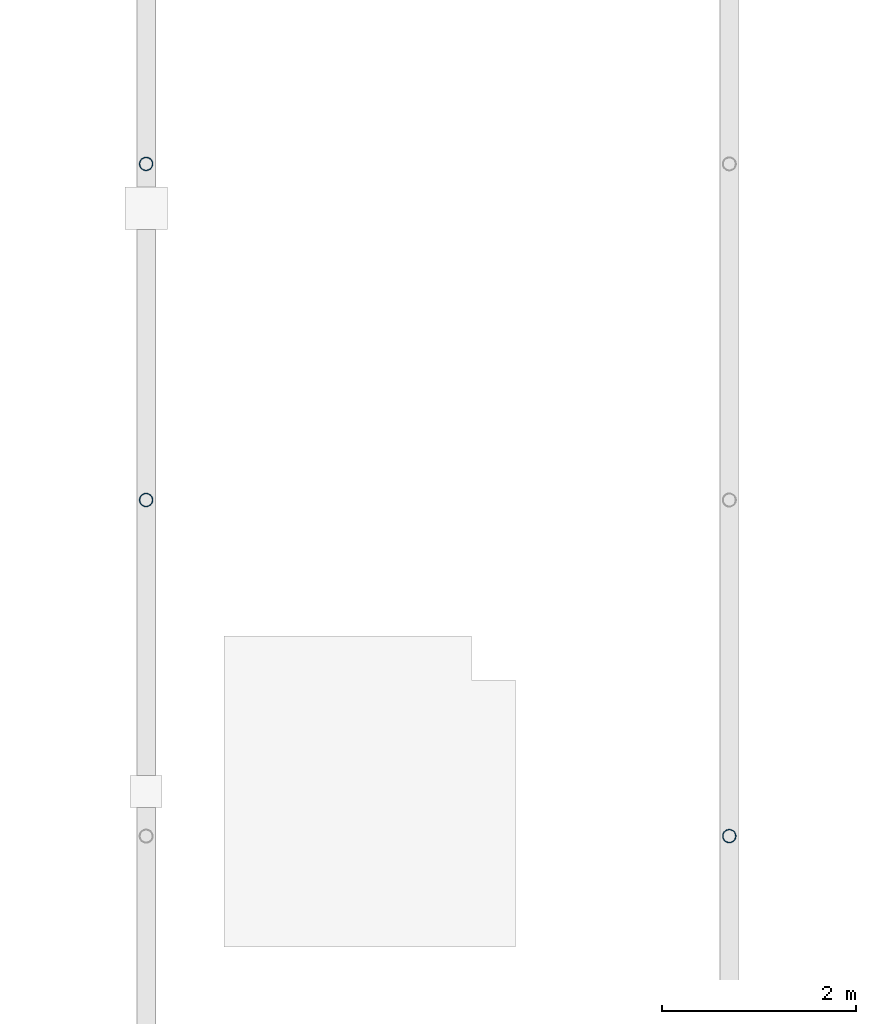
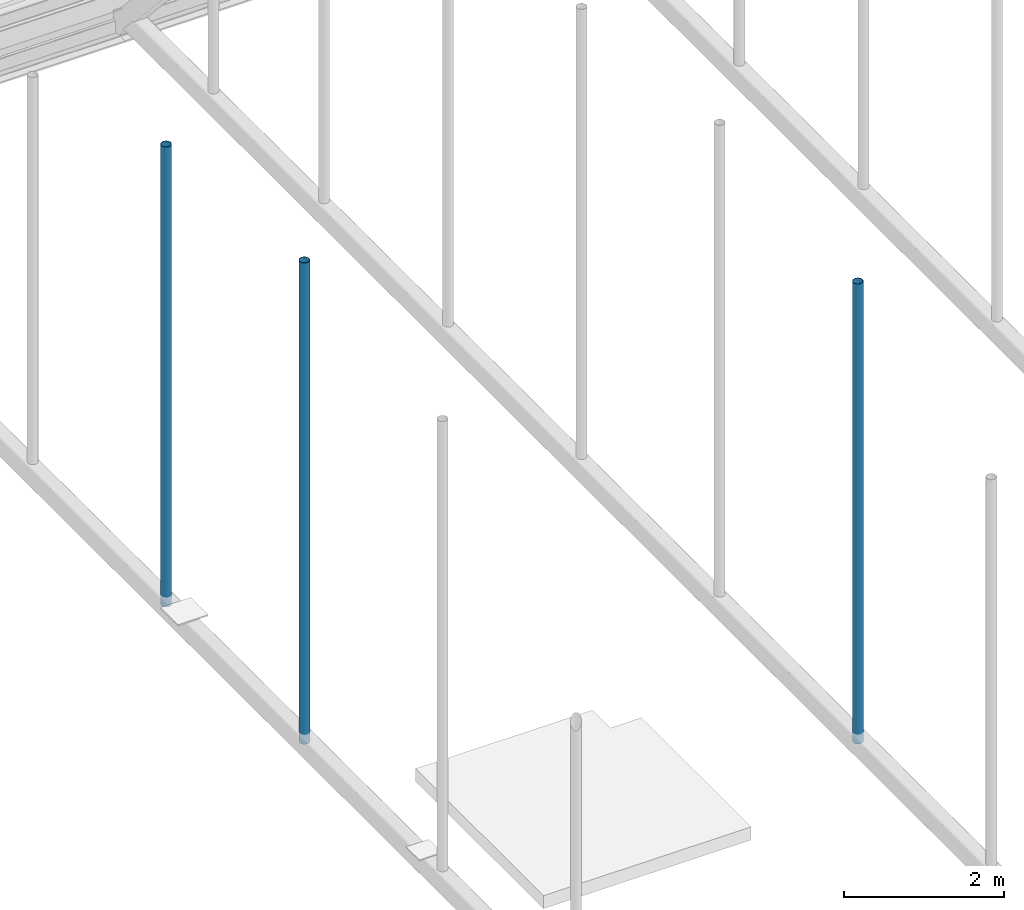
# One storey, part 20 of 63: 3 members.
"""IFC4 building model written with IfcOpenShell, lengths in metres."""

from ifc_helpers import new_model, si_unit, direction, frame, origin, origin_2d, place, context, subcontext, project, spatial, hollow_circle, extrude, material, material_profile, profile_set, type_object, element, save


model = new_model("IFC4")

# Units and contexts
model_context = context("Model", 3, precision=1e-05, world=origin(), true_north=direction((0.0, 1.0)))
body_context = subcontext(model_context, "Body", "Model", "MODEL_VIEW")
ifc_project = project(units=[si_unit("LENGTHUNIT", "METRE"), si_unit("AREAUNIT", "SQUARE_METRE"), si_unit("VOLUMEUNIT", "CUBIC_METRE"), si_unit("PLANEANGLEUNIT", "RADIAN"), si_unit("MASSUNIT", "GRAM", prefix="KILO")], contexts=[model_context])

# Site, building, storey
site_placement = place(None, origin())
site = spatial("IfcSite", under=ifc_project, at=site_placement, CompositionType="ELEMENT")
building_placement = place(site_placement, origin())
building = spatial("IfcBuilding", under=site, at=building_placement, Name="Varnakota Square Police Headquarters", CompositionType="ELEMENT")
storey_placement = place(building_placement, frame((0.0, 0.0, 22.199951171875)))
storey = spatial("IfcBuildingStorey", under=building, at=storey_placement, Name="L05", CompositionType="ELEMENT", Elevation=22.199951171875)

# Members
ifc_material = material(Name="Steel IS 2062 Grade 350", Category="steel")
ifc_material_profile = material_profile(ifc_material, hollow_circle(Radius=0.06982421875, WallThickness=0.006103515625, at=origin_2d()), Name="CHS 139.7x6.0")
ifc_profile_set = profile_set([ifc_material_profile], Name="Steel IS 2062 Grade 350")
member_type = type_object("IfcMemberType", Name="MEM-HNG-CHS139", PredefinedType="STRUT", material=ifc_profile_set)
member_placement = place(storey_placement, frame((60.0, 84.0, -0.14990234375), z_axis=(0.0, 0.0, 1.0), x_axis=(1.0, 0.0, 0.0)))
element("IfcMember", 1, at=member_placement, inside=storey, type_object=member_type, Name="Barrel vault hanger strut V2-R01-N5", PredefinedType="STRUT", context=body_context, shape_type="SweptSolid", body=[
    extrude(hollow_circle(Radius=0.06982421875, WallThickness=0.006103515625, at=origin_2d()), origin(), (0.0, 0.0, 1.0), 7.351318359375),
])
for number, where, z_axis, x_axis, name in (
    (2, (60.0, 87.45751953125, -0.14990234375), (0.0, 0.0, 1.0), (1.0, 0.0, 0.0), "Barrel vault hanger strut V2-R01-N6"),
    (3, (66.0, 80.54248046875, -0.14990234375), (0.0, 0.0, 1.0), (1.0, 0.0, 0.0), "Barrel vault hanger strut V2-R02-N4"),
):
    element("IfcMember", number, at=place(storey_placement, frame(where, z_axis=z_axis, x_axis=x_axis)), inside=storey, type_object=member_type, Name=name, PredefinedType="STRUT", context=body_context, shape_type="SweptSolid", body=[
        extrude(hollow_circle(Radius=0.06982421875, WallThickness=0.006103515625, at=origin_2d()), origin(), (0.0, 0.0, 1.0), 7.02490234375),
    ])

save(model, "model.ifc")
